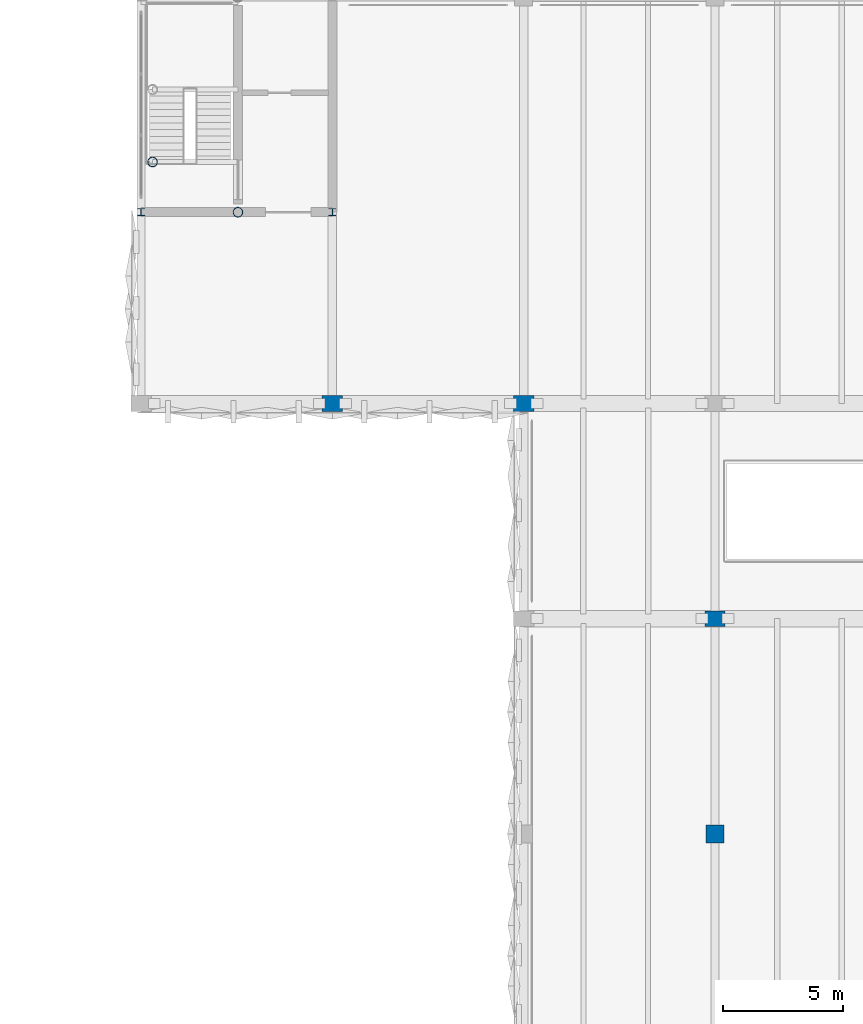
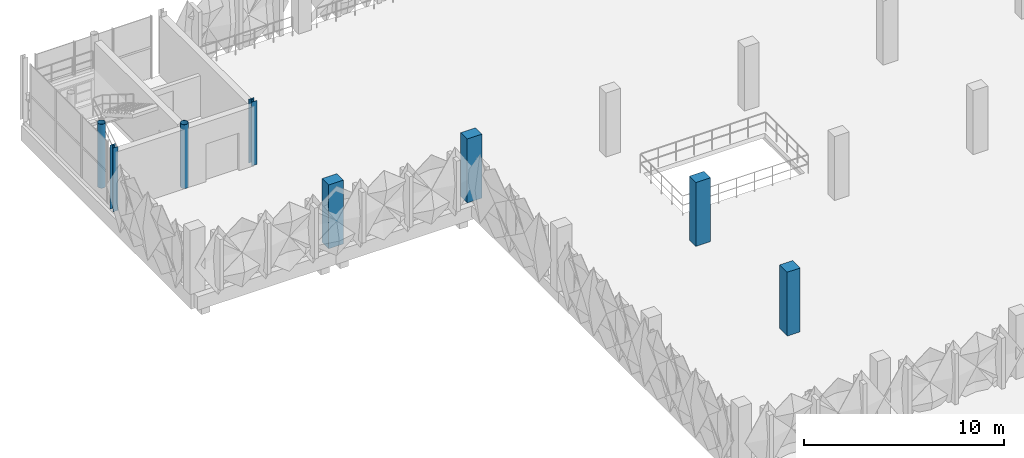
# One storey, part 2 of 76: 8 columns.
"""IFC4 building model written with IfcOpenShell, lengths in metres."""

import ifcopenshell
import ifcopenshell.guid

model = None  # the IFC model being written
_history = None  # IfcOwnerHistory: only IFC2X3 demands one
_inside = {}  # id of a spatial element -> (the spatial element, [elements in it])
_under = {}  # id of a project, library or spatial element -> (it, [spatial elements below it])
_declared = {}  # id of a project -> (the project, [libraries it declares])
_typed = {}  # id of a type object -> (the type object, [elements of that type])
_made_of = {}  # id of a material, layer set ... -> (it, [elements and type objects made of it])


def new_model(schema):
    """Start an empty IFC model of exactly this schema.

    Asked for "IFC4X3", IfcOpenShell would pick the latest addendum, in which some entities
    have other attributes; the version numbers below select the first issue.
    IFC2X3 requires an IfcOwnerHistory on every rooted entity: one is made here for all.
    """
    global model, _history
    if schema == "IFC4X3":
        model = ifcopenshell.file(schema_version=(4, 3, 0, 0))
    else:
        model = ifcopenshell.file(schema=schema)
    _inside.clear()
    _under.clear()
    _declared.clear()
    _typed.clear()
    _made_of.clear()
    _history = None
    if model.schema == "IFC2X3":
        org = make("IfcOrganization", Name="unknown")
        user = make(
            "IfcPersonAndOrganization",
            ThePerson=make("IfcPerson", FamilyName="unknown"),
            TheOrganization=org,
        )
        app = make(
            "IfcApplication",
            ApplicationDeveloper=org,
            Version="unknown",
            ApplicationFullName="unknown",
            ApplicationIdentifier="unknown",
        )
        _history = make(
            "IfcOwnerHistory",
            OwningUser=user,
            OwningApplication=app,
            ChangeAction="ADDED",
            CreationDate=0,
        )
    return model


def make(cls, **values):
    """One entity of the class cls with the attributes given. An attribute that is None is left unset."""
    return model.create_entity(
        cls, **{name: value for name, value in values.items() if value is not None}
    )


def rooted(cls, **values):
    """An entity with a GlobalId (a new one), such as an element, a storey or a relation."""
    return make(cls, GlobalId=ifcopenshell.guid.new(), OwnerHistory=_history, **values)


def si_unit(unit_type, name, prefix=None):
    """IfcSIUnit, for example si_unit("LENGTHUNIT", "METRE", prefix="MILLI")."""
    return make("IfcSIUnit", UnitType=unit_type, Prefix=prefix, Name=name)


def derived_unit(unit_type, elements):
    """IfcDerivedUnit: a product of units, each with its exponent."""
    return make(
        "IfcDerivedUnit",
        Elements=[
            make("IfcDerivedUnitElement", Unit=unit, Exponent=power)
            for unit, power in elements
        ],
        UnitType=unit_type,
    )


def assignment(units):
    """IfcUnitAssignment: the units of a project."""
    return None if units is None else make("IfcUnitAssignment", Units=units)


def point(xyz):
    """IfcCartesianPoint."""
    return None if xyz is None else make("IfcCartesianPoint", Coordinates=xyz)


def direction(xyz):
    """IfcDirection."""
    return None if xyz is None else make("IfcDirection", DirectionRatios=xyz)


def frame(location, z_axis=None, x_axis=None):
    """IfcAxis2Placement3D, a coordinate frame: its origin and axes. An axis left out is left unset."""
    return make(
        "IfcAxis2Placement3D",
        Location=point(location),
        Axis=direction(z_axis),
        RefDirection=direction(x_axis),
    )


def frame_2d(location, x_axis=None):
    """IfcAxis2Placement2D, a coordinate frame in the plane: its origin and x axis."""
    return make(
        "IfcAxis2Placement2D", Location=point(location), RefDirection=direction(x_axis)
    )


def origin():
    """The frame at (0, 0, 0) with its axes left unset."""
    return frame((0.0, 0.0, 0.0))


def origin_2d():
    """The frame at (0, 0) in the plane with its x axis left unset."""
    return frame_2d((0.0, 0.0))


def place(relative_to, where):
    """IfcLocalPlacement: puts the frame where relative to a parent placement (None: the world)."""
    return make(
        "IfcLocalPlacement", PlacementRelTo=relative_to, RelativePlacement=where
    )


def context(
    kind, dimensions, precision=None, world=None, true_north=None, identifier=None
):
    """IfcGeometricRepresentationContext, for example the 3D "Model" context."""
    return make(
        "IfcGeometricRepresentationContext",
        ContextIdentifier=identifier,
        ContextType=kind,
        CoordinateSpaceDimension=dimensions,
        Precision=precision,
        WorldCoordinateSystem=world,
        TrueNorth=true_north,
    )


def subcontext(parent, identifier, kind, view, scale=None):
    """IfcGeometricRepresentationSubContext, for example "Body" below "Model"."""
    return make(
        "IfcGeometricRepresentationSubContext",
        ContextIdentifier=identifier,
        ContextType=kind,
        ParentContext=parent,
        TargetScale=scale,
        TargetView=view,
    )


def project(units=None, contexts=None):
    """IfcProject with its units and contexts."""
    return rooted(
        "IfcProject",
        Name="project",
        RepresentationContexts=contexts,
        UnitsInContext=assignment(units),
    )


def spatial(cls, under=None, at=None, **own):
    """A site, building, storey or space (cls), placed at a placement, below another one or the project."""
    s = rooted(cls, ObjectPlacement=at, **own)
    if under is not None:
        _under.setdefault(under.id(), (under, []))[1].append(s)
    return s


def profile(cls, at=None, kind="AREA", **sizes):
    """A parametric profile (cls). Its sizes go by their IFC names, for example OverallWidth=200.0."""
    return make(cls, ProfileType=kind, Position=at, **sizes)


def rectangle(**sizes):
    """IfcRectangleProfileDef."""
    return profile("IfcRectangleProfileDef", **sizes)


def hollow_circle(**sizes):
    """IfcCircleHollowProfileDef."""
    return profile("IfcCircleHollowProfileDef", **sizes)


def i_section(**sizes):
    """IfcIShapeProfileDef."""
    return profile("IfcIShapeProfileDef", **sizes)


def extrude(swept, where, along, depth):
    """IfcExtrudedAreaSolid: the profile swept, set in the frame where, extruded along a direction by depth."""
    return make(
        "IfcExtrudedAreaSolid",
        SweptArea=swept,
        Position=where,
        ExtrudedDirection=direction(along),
        Depth=depth,
    )


def shape(context_of_items, identifier, shape_type, items):
    """IfcShapeRepresentation: the items that make up one representation, for example the "Body"."""
    return make(
        "IfcShapeRepresentation",
        ContextOfItems=context_of_items,
        RepresentationIdentifier=identifier,
        RepresentationType=shape_type,
        Items=items,
    )


def material(Name=None, Category=None):
    """IfcMaterial."""
    return make("IfcMaterial", Name=Name, Category=Category)


def material_profile(
    of_material, cross_section, Name=None, Category=None, Priority=None
):
    """IfcMaterialProfile: a cross section and its material."""
    return make(
        "IfcMaterialProfile",
        Name=Name,
        Material=of_material,
        Profile=cross_section,
        Priority=Priority,
        Category=Category,
    )


def profile_set(profiles, Name=None, composite=None):
    """IfcMaterialProfileSet."""
    return make(
        "IfcMaterialProfileSet",
        Name=Name,
        MaterialProfiles=profiles,
        CompositeProfile=composite,
    )


def made_of(thing, what):
    """Note that an element or type object is made of a material, layer set ...; save() writes the relation."""
    if what is not None:
        _made_of.setdefault(what.id(), (what, []))[1].append(thing)
    return thing


def type_object(cls, material=None, **own):
    """A type object (cls), such as IfcWallType, which elements share."""
    return made_of(rooted(cls, **own), material)


def element(
    cls,
    number,
    at=None,
    inside=None,
    cuts=None,
    type_object=None,
    material=None,
    context=None,
    identifier="Body",
    shape_type=None,
    held_by="IfcProductDefinitionShape",
    body=None,
    shapes=None,
    **own,
):
    """One element of the class cls, such as IfcWall. Its Tag is "e" and its number.

    at: its placement. inside: the storey or other place that contains it. cuts: it is an
    opening in that element (IfcRelVoidsElement). A single representation is given by context,
    identifier, shape_type and body (its items); several are given by shapes. held_by: the class
    of the entity that holds the representations. save() writes the other relations.
    """
    e = rooted(cls, Tag="e%d" % number, ObjectPlacement=at, **own)
    if body is not None:
        shapes = [shape(context, identifier, shape_type, body)]
    if shapes is not None:
        e.Representation = make(held_by, Representations=shapes)
    if inside is not None:
        _inside.setdefault(inside.id(), (inside, []))[1].append(e)
    if cuts is not None:
        rooted(
            "IfcRelVoidsElement", RelatingBuildingElement=cuts, RelatedOpeningElement=e
        )
    if type_object is not None:
        _typed.setdefault(type_object.id(), (type_object, []))[1].append(e)
    return made_of(e, material)


def aggregate(whole, parts):
    """IfcRelAggregates: a whole, such as a stair, and the parts it consists of."""
    return rooted("IfcRelAggregates", RelatingObject=whole, RelatedObjects=parts)


def save(model, path):
    """Write the relations noted so far, then the file.

    IfcRelAggregates (storeys below a building ...), IfcRelContainedInSpatialStructure (elements
    in a storey), IfcRelDefinesByType, IfcRelAssociatesMaterial and IfcRelDeclares: one each for
    every whole, place, type object, material and project.
    """
    for whole, parts in _under.values():
        aggregate(whole, parts)
    for where, things in _inside.values():
        rooted(
            "IfcRelContainedInSpatialStructure",
            RelatedElements=things,
            RelatingStructure=where,
        )
    for kind, things in _typed.values():
        rooted("IfcRelDefinesByType", RelatedObjects=things, RelatingType=kind)
    for what, things in _made_of.values():
        rooted("IfcRelAssociatesMaterial", RelatedObjects=things, RelatingMaterial=what)
    for by, libraries in _declared.values():
        rooted("IfcRelDeclares", RelatingContext=by, RelatedDefinitions=libraries)
    model.write(path)


model = new_model("IFC4")

# Units and contexts
model_context = context("Model", 3, precision=1e-05, world=origin(), true_north=direction((0.0, 1.0)))
body_context = subcontext(model_context, "Body", "Model", "MODEL_VIEW")
ifc_project = project(units=[si_unit("LENGTHUNIT", "METRE"), si_unit("AREAUNIT", "SQUARE_METRE"), si_unit("VOLUMEUNIT", "CUBIC_METRE"), si_unit("PLANEANGLEUNIT", "RADIAN"), si_unit("MASSUNIT", "GRAM", prefix="KILO"), si_unit("THERMODYNAMICTEMPERATUREUNIT", "KELVIN"), derived_unit("THERMALTRANSMITTANCEUNIT", [(si_unit("POWERUNIT", "WATT"), 1), (si_unit("AREAUNIT", "SQUARE_METRE"), -1), (si_unit("THERMODYNAMICTEMPERATUREUNIT", "KELVIN"), -1)])], contexts=[model_context])

# Site, building, storey
site_placement = place(None, origin())
site = spatial("IfcSite", under=ifc_project, at=site_placement, CompositionType="ELEMENT")
building_placement = place(site_placement, origin())
building = spatial("IfcBuilding", under=site, at=building_placement, Name="Haiyu Intermodal Mobility Hub", CompositionType="ELEMENT")
storey_placement = place(building_placement, frame((0.0, 0.0, 17.300048828125)))
storey = spatial("IfcBuildingStorey", under=building, at=storey_placement, Name="L04", CompositionType="ELEMENT", Elevation=17.300048828125)

# Columns
ifc_material_1 = material(Name="Precast concrete C40", Category="concrete")
ifc_material_profile_1 = material_profile(ifc_material_1, rectangle(XDim=0.75, YDim=0.75, at=origin_2d()), Name="RC750x750")
ifc_profile_set_1 = profile_set([ifc_material_profile_1], Name="Precast concrete C40")
column_type_1 = type_object("IfcColumnType", Name="COL-CC03", PredefinedType="COLUMN", material=ifc_profile_set_1)
column_1_placement = place(storey_placement, frame((46.0, 113.0, 0.0), z_axis=(0.0, 0.0, 1.0), x_axis=(1.0, 0.0, 0.0)))
element("IfcColumn", 1, at=column_1_placement, inside=storey, type_object=column_type_1, Name="Column V3S-5N L04", PredefinedType="COLUMN", context=body_context, shape_type="SweptSolid", body=[
    extrude(rectangle(XDim=0.75, YDim=0.75, at=origin_2d()), origin(), (0.0, 0.0, 1.0), 3.89990234375),
])
ifc_material_profile_2 = material_profile(ifc_material_1, rectangle(XDim=0.85009765625, YDim=0.64990234375, at=origin_2d()), Name="RC850x650")
ifc_profile_set_2 = profile_set([ifc_material_profile_2], Name="Precast concrete C40")
column_type_2 = type_object("IfcColumnType", Name="COL-CC05", PredefinedType="COLUMN", material=ifc_profile_set_2)
for number, where, z_axis, x_axis, name in (
    (2, (30.0, 131.0, 0.0), (0.0, 0.0, 1.0), (1.0, 0.0, 0.0), "Column V4-3Q L04"),
    (3, (38.0, 131.0, 0.0), (0.0, 0.0, 1.0), (1.0, 0.0, 0.0), "Column V4-4Q L04"),
    (4, (46.0, 122.0, 0.0), (0.0, 0.0, 1.0), (1.0, 0.0, 0.0), "Column V4-5P L04"),
):
    element("IfcColumn", number, at=place(storey_placement, frame(where, z_axis=z_axis, x_axis=x_axis)), inside=storey, type_object=column_type_2, Name=name, PredefinedType="COLUMN", context=body_context, shape_type="SweptSolid", body=[
        extrude(rectangle(XDim=0.85009765625, YDim=0.64990234375, at=origin_2d()), origin(), (0.0, 0.0, 1.0), 3.89990234375),
    ])
ifc_material_2 = material(Name="Steel Q355C", Category="steel")
ifc_material_profile_3 = material_profile(ifc_material_2, hollow_circle(Radius=0.202880859375, WallThickness=0.013916015625, at=origin_2d()), Name="CHS406x14")
ifc_profile_set_3 = profile_set([ifc_material_profile_3], Name="Steel Q355C")
column_type_3 = type_object("IfcColumnType", Name="COL-SC03", PredefinedType="COLUMN", material=ifc_profile_set_3)
for number, where, z_axis, x_axis, name in (
    (5, (26.050048828125, 139.0, 0.0), (0.0, 0.0, 1.0), (1.0, 0.0, 0.0), "Column C3-MS L04"),
    (6, (22.47998046875, 141.10009765625, 0.0), (0.0, 0.0, 1.0), (1.0, 0.0, 0.0), "Column C3-WTP L04"),
):
    element("IfcColumn", number, at=place(storey_placement, frame(where, z_axis=z_axis, x_axis=x_axis)), inside=storey, type_object=column_type_3, Name=name, PredefinedType="COLUMN", context=body_context, shape_type="SweptSolid", body=[
        extrude(hollow_circle(Radius=0.202880859375, WallThickness=0.013916015625, at=origin_2d()), origin(), (0.0, 0.0, 1.0), 3.89990234375),
    ])
ifc_material_profile_4 = material_profile(ifc_material_2, i_section(OverallWidth=0.300048828125, OverallDepth=0.300048828125, WebThickness=0.010009765625, FlangeThickness=0.014892578125, FilletRadius=0.01806640625, at=origin_2d()), Name="HW300x300x10x15")
ifc_profile_set_4 = profile_set([ifc_material_profile_4], Name="Steel Q355C")
column_type_4 = type_object("IfcColumnType", Name="COL-SC07", PredefinedType="COLUMN", material=ifc_profile_set_4)
column_2_placement = place(storey_placement, frame((30.0, 139.0, 0.0), z_axis=(0.0, 0.0, 1.0), x_axis=(1.0, 0.0, 0.0)))
element("IfcColumn", 7, at=column_2_placement, inside=storey, type_object=column_type_4, Name="Column C3-SE L04", PredefinedType="COLUMN", context=body_context, shape_type="SweptSolid", body=[
    extrude(i_section(OverallWidth=0.300048828125, OverallDepth=0.300048828125, WebThickness=0.010009765625, FlangeThickness=0.014892578125, FilletRadius=0.01806640625, at=origin_2d()), origin(), (0.0, 0.0, 1.0), 3.89990234375),
])
ifc_material_profile_5 = material_profile(ifc_material_2, i_section(OverallWidth=0.300048828125, OverallDepth=0.300048828125, WebThickness=0.010009765625, FlangeThickness=0.014892578125, FilletRadius=0.01806640625, at=origin_2d()), Name="HW300x300x10x15")
ifc_profile_set_5 = profile_set([ifc_material_profile_5], Name="Steel Q355C")
column_type_5 = type_object("IfcColumnType", Name="COL-SC07-EXT", PredefinedType="COLUMN", material=ifc_profile_set_5)
column_3_placement = place(storey_placement, frame((22.0, 139.0, 0.0), z_axis=(0.0, 0.0, 1.0), x_axis=(1.0, 0.0, 0.0)))
element("IfcColumn", 8, at=column_3_placement, inside=storey, type_object=column_type_5, Name="Column C3-SW L04", PredefinedType="COLUMN", context=body_context, shape_type="SweptSolid", body=[
    extrude(i_section(OverallWidth=0.300048828125, OverallDepth=0.300048828125, WebThickness=0.010009765625, FlangeThickness=0.014892578125, FilletRadius=0.01806640625, at=origin_2d()), origin(), (0.0, 0.0, 1.0), 3.89990234375),
])

save(model, "model.ifc")
